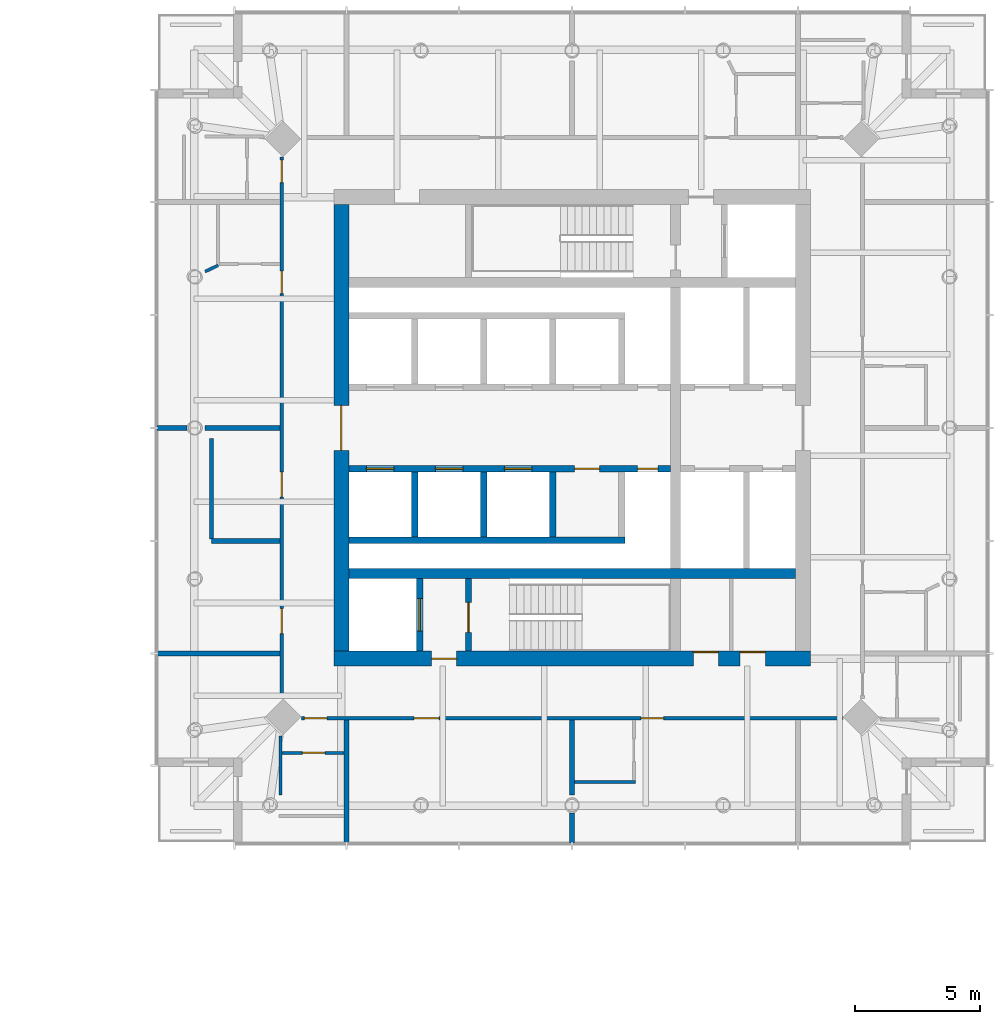
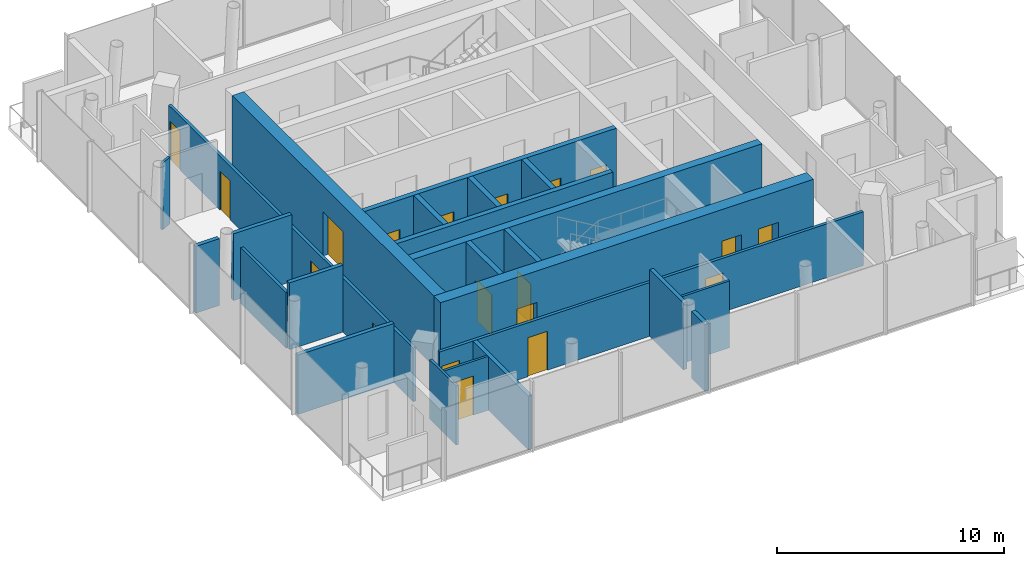
# One storey, part 13 of 27: 24 walls, 19 doors, 19 openings.
"""IFC4 building model written with IfcOpenShell, lengths in metres."""

from ifc_helpers import new_model, si_unit, direction, frame, frame_2d, origin, place, context, subcontext, project, spatial, rectangle, extrude, material, layer, layer_set, type_object, element, fill, save


model = new_model("IFC4")

# Units and contexts
model_context = context("Model", 3, precision=1e-05, world=origin(), true_north=direction((0.0, 1.0)))
body_context = subcontext(model_context, "Body", "Model", "MODEL_VIEW")
ifc_project = project(units=[si_unit("LENGTHUNIT", "METRE"), si_unit("AREAUNIT", "SQUARE_METRE"), si_unit("VOLUMEUNIT", "CUBIC_METRE"), si_unit("PLANEANGLEUNIT", "RADIAN"), si_unit("MASSUNIT", "GRAM", prefix="KILO")], contexts=[model_context])

# Site, building, storey
site_placement = place(None, origin())
site = spatial("IfcSite", under=ifc_project, at=site_placement, CompositionType="ELEMENT")
building_placement = place(site_placement, origin())
building = spatial("IfcBuilding", under=site, at=building_placement, Name="Ostroluk Exchange", CompositionType="ELEMENT")
storey_placement = place(building_placement, frame((0.0, 0.0, 112.199951171875)))
storey = spatial("IfcBuildingStorey", under=building, at=storey_placement, Name="L28", CompositionType="ELEMENT", Elevation=112.199951171875)

# Wall
ifc_material_1 = material(Name="Concrete C50/60", Category="concrete")
ifc_layer_1 = layer(ifc_material_1, 0.39990234375)
ifc_layer_set_1 = layer_set([ifc_layer_1], Name="Core cross wall 400 C50/60")
wall_type_1 = type_object("IfcWallType", Name="Core cross wall 400 C50/60", PredefinedType="SHEAR", material=ifc_layer_set_1)
wall_1_placement = place(storey_placement, frame((108.10009765625, 40.199951171875, 0.0), z_axis=(0.0, 0.0, 1.0), x_axis=(1.0, 0.0, 0.0)))
element("IfcWall", 1, at=wall_1_placement, inside=storey, type_object=wall_type_1, Name="T2 core wall XS", PredefinedType="SHEAR", context=body_context, shape_type="SweptSolid", body=[
    extrude(rectangle(XDim=17.7998046875, YDim=0.39990234375, at=frame_2d((8.89990234375, 0.0))), origin(), (0.0, 0.0, 1.0), 3.800048828125),
])

# Wall, opening, door
ifc_material_2 = material(Name="Concrete C40/50", Category="concrete")
ifc_layer_2 = layer(ifc_material_2, 0.25)
ifc_layer_set_2 = layer_set([ifc_layer_2], Name="Core shaft wall 250")
wall_type_2 = type_object("IfcWallType", Name="Core shaft wall 250", PredefinedType="SHEAR", material=ifc_layer_set_2)
wall_2_placement = place(storey_placement, frame((110.925048828125, 37.10009765625, 0.0), z_axis=(0.0, 0.0, 1.0), x_axis=(0.0, 1.0, 0.0)))
wall_2 = element("IfcWall", 2, at=wall_2_placement, inside=storey, type_object=wall_type_2, Name="Firefighting lift shaft wall", PredefinedType="SHEAR", context=body_context, shape_type="SweptSolid", body=[
    extrude(rectangle(XDim=2.89990234375, YDim=0.25, at=frame_2d((1.449951171875, 0.0))), origin(), (0.0, 0.0, 1.0), 3.800048828125),
])
opening_1_placement = place(wall_2_placement, frame((0.800048828125, 0.0, 0.0)))
opening_1 = element("IfcOpeningElement", 3, at=opening_1_placement, cuts=wall_2, Name="Opening LD2", PredefinedType="OPENING", context=body_context, shape_type="SweptSolid", body=[
    extrude(rectangle(XDim=1.300048828125, YDim=2.199951171875, at=frame_2d((0.64990234375, 1.10009765625))), frame((0.0, 0.135009765625, 0.0), z_axis=(0.0, -1.0, 0.0), x_axis=(1.0, 0.0, 0.0)), (0.0, 0.0, 1.0), 0.27001953125),
])
ifc_material_3 = material(Name="Stainless steel", Category="steel")
door_type_1 = type_object("IfcDoorType", Name="Lift landing door E 60 1300 x 2200", OperationType="DOUBLE_DOOR_SLIDING", PredefinedType="DOOR", material=ifc_material_3)
door_1_placement = place(opening_1_placement, origin())
door_1 = element("IfcDoor", 4, at=door_1_placement, inside=storey, type_object=door_type_1, Name="Lift HF1 landing door", OperationType="DOUBLE_DOOR_SLIDING", OverallHeight=2.199951171875, OverallWidth=1.300048828125, PredefinedType="DOOR", context=body_context, shape_type="SweptSolid", body=[
    extrude(rectangle(XDim=1.300048828125, YDim=2.199951171875, at=frame_2d((0.64990234375, 1.10009765625))), frame((0.0, 0.02490234375, 0.0), z_axis=(0.0, -1.0, 0.0), x_axis=(1.0, 0.0, 0.0)), (0.0, 0.0, 1.0), 0.050048828125),
])
fill(opening_1, door_1)

wall_3_placement = place(storey_placement, frame((112.875, 37.10009765625, 0.0), z_axis=(0.0, 0.0, 1.0), x_axis=(0.0, 1.0, 0.0)))
wall_3 = element("IfcWall", 5, at=wall_3_placement, inside=storey, type_object=wall_type_2, Name="Stair shaft wall", PredefinedType="SHEAR", context=body_context, shape_type="SweptSolid", body=[
    extrude(rectangle(XDim=2.89990234375, YDim=0.25, at=frame_2d((1.449951171875, 0.0))), origin(), (0.0, 0.0, 1.0), 3.800048828125),
])
opening_2_placement = place(wall_3_placement, frame((0.75, 0.0, 0.0)))
opening_2 = element("IfcOpeningElement", 6, at=opening_2_placement, cuts=wall_3, Name="Opening FD60S", PredefinedType="OPENING", context=body_context, shape_type="SweptSolid", body=[
    extrude(rectangle(XDim=1.199951171875, YDim=2.10009765625, at=frame_2d((0.60009765625, 1.050048828125))), frame((0.0, 0.135009765625, 0.0), z_axis=(0.0, -1.0, 0.0), x_axis=(1.0, 0.0, 0.0)), (0.0, 0.0, 1.0), 0.27001953125),
])
ifc_material_4 = material(Name="Steel", Category="steel")
door_type_2 = type_object("IfcDoorType", Name="Stair door EI 60 1200 x 2100", OperationType="SINGLE_SWING_LEFT", PredefinedType="DOOR", material=ifc_material_4)
door_2_placement = place(opening_2_placement, origin())
door_2 = element("IfcDoor", 7, at=door_2_placement, inside=storey, type_object=door_type_2, Name="Stair T2-S1 door", OperationType="SINGLE_SWING_LEFT", OverallHeight=2.10009765625, OverallWidth=1.199951171875, PredefinedType="DOOR", context=body_context, shape_type="SweptSolid", body=[
    extrude(rectangle(XDim=1.199951171875, YDim=2.10009765625, at=frame_2d((0.60009765625, 1.050048828125))), frame((0.0, 0.02490234375, 0.0), z_axis=(0.0, -1.0, 0.0), x_axis=(1.0, 0.0, 0.0)), (0.0, 0.0, 1.0), 0.050048828125),
])
fill(opening_2, door_2)

# Walls
for number, where, z_axis, x_axis, name in (
    (8, (110.72509765625, 44.25, 0.0), (0.0, 0.0, 1.0), (0.0, -1.0, 0.0), "Lift shaft wall"),
    (9, (113.47509765625, 44.25, 0.0), (0.0, 0.0, 1.0), (0.0, -1.0, 0.0), "Lift shaft wall"),
    (10, (116.22509765625, 44.25, 0.0), (0.0, 0.0, 1.0), (0.0, -1.0, 0.0), "Lift shaft wall"),
):
    element("IfcWall", number, at=place(storey_placement, frame(where, z_axis=z_axis, x_axis=x_axis)), inside=storey, type_object=wall_type_2, Name=name, PredefinedType="SHEAR", context=body_context, shape_type="SweptSolid", body=[
        extrude(rectangle(XDim=2.60009765625, YDim=0.25, at=frame_2d((1.300048828125, 0.0))), origin(), (0.0, 0.0, 1.0), 3.800048828125),
    ])
wall_4_placement = place(storey_placement, frame((108.10009765625, 41.52490234375, 0.0), z_axis=(0.0, 0.0, 1.0), x_axis=(1.0, 0.0, 0.0)))
element("IfcWall", 11, at=wall_4_placement, inside=storey, type_object=wall_type_2, Name="Lift shaft wall", PredefinedType="SHEAR", context=body_context, shape_type="SweptSolid", body=[
    extrude(rectangle(XDim=11.0, YDim=0.25, at=frame_2d((5.5, 0.0))), origin(), (0.0, 0.0, 1.0), 3.800048828125),
])

# Wall, openings, doors
wall_5_placement = place(storey_placement, frame((108.10009765625, 44.375, 0.0), z_axis=(0.0, 0.0, 1.0), x_axis=(1.0, 0.0, 0.0)))
wall_5 = element("IfcWall", 12, at=wall_5_placement, inside=storey, type_object=wall_type_2, Name="Lift shaft front wall", PredefinedType="SHEAR", context=body_context, shape_type="SweptSolid", body=[
    extrude(rectangle(XDim=12.829833984375, YDim=0.25, at=frame_2d((6.4150390625, 0.0))), origin(), (0.0, 0.0, 1.0), 3.800048828125),
])
opening_3_placement = place(wall_5_placement, frame((0.699951171875, 0.0, 0.0)))
opening_3 = element("IfcOpeningElement", 13, at=opening_3_placement, cuts=wall_5, Name="Opening LD", PredefinedType="OPENING", context=body_context, shape_type="SweptSolid", body=[
    extrude(rectangle(XDim=1.10009765625, YDim=2.199951171875, at=frame_2d((0.550048828125, 1.10009765625))), frame((0.0, 0.135009765625, 0.0), z_axis=(0.0, -1.0, 0.0), x_axis=(1.0, 0.0, 0.0)), (0.0, 0.0, 1.0), 0.27001953125),
])
opening_4_placement = place(wall_5_placement, frame((3.449951171875, 0.0, 0.0)))
opening_4 = element("IfcOpeningElement", 14, at=opening_4_placement, cuts=wall_5, Name="Opening LD", PredefinedType="OPENING", context=body_context, shape_type="SweptSolid", body=[
    extrude(rectangle(XDim=1.10009765625, YDim=2.199951171875, at=frame_2d((0.550048828125, 1.10009765625))), frame((0.0, 0.135009765625, 0.0), z_axis=(0.0, -1.0, 0.0), x_axis=(1.0, 0.0, 0.0)), (0.0, 0.0, 1.0), 0.27001953125),
])
opening_5_placement = place(wall_5_placement, frame((6.199951171875, 0.0, 0.0)))
opening_5 = element("IfcOpeningElement", 15, at=opening_5_placement, cuts=wall_5, Name="Opening LD", PredefinedType="OPENING", context=body_context, shape_type="SweptSolid", body=[
    extrude(rectangle(XDim=1.10009765625, YDim=2.199951171875, at=frame_2d((0.550048828125, 1.10009765625))), frame((0.0, 0.135009765625, 0.0), z_axis=(0.0, -1.0, 0.0), x_axis=(1.0, 0.0, 0.0)), (0.0, 0.0, 1.0), 0.27001953125),
])
opening_6_placement = place(wall_5_placement, frame((9.0, 0.0, 0.0)))
opening_6 = element("IfcOpeningElement", 16, at=opening_6_placement, cuts=wall_5, Name="Opening FD60", PredefinedType="OPENING", context=body_context, shape_type="SweptSolid", body=[
    extrude(rectangle(XDim=1.0, YDim=2.10009765625, at=frame_2d((0.5, 1.050048828125))), frame((0.0, 0.135009765625, 0.0), z_axis=(0.0, -1.0, 0.0), x_axis=(1.0, 0.0, 0.0)), (0.0, 0.0, 1.0), 0.27001953125),
])
opening_7_placement = place(wall_5_placement, frame((11.514892578125, 0.0, 0.0)))
opening_7 = element("IfcOpeningElement", 17, at=opening_7_placement, cuts=wall_5, Name="Opening RD60", PredefinedType="OPENING", context=body_context, shape_type="SweptSolid", body=[
    extrude(rectangle(XDim=0.800048828125, YDim=2.0, at=frame_2d((0.39990234375, 1.0))), frame((0.0, 0.135009765625, 0.0), z_axis=(0.0, -1.0, 0.0), x_axis=(1.0, 0.0, 0.0)), (0.0, 0.0, 1.0), 0.27001953125),
])
ifc_material_5 = material(Name="Steel", Category="steel")
door_type_3 = type_object("IfcDoorType", Name="Fire door EI 60 1000 x 2100", OperationType="SINGLE_SWING_LEFT", PredefinedType="DOOR", material=ifc_material_5)
door_3_placement = place(opening_6_placement, origin())
door_3 = element("IfcDoor", 18, at=door_3_placement, inside=storey, type_object=door_type_3, Name="Core room door", OperationType="SINGLE_SWING_RIGHT", OverallHeight=2.10009765625, OverallWidth=1.0, PredefinedType="DOOR", context=body_context, shape_type="SweptSolid", body=[
    extrude(rectangle(XDim=1.0, YDim=2.10009765625, at=frame_2d((0.5, 1.050048828125))), frame((0.0, 0.02490234375, 0.0), z_axis=(0.0, -1.0, 0.0), x_axis=(1.0, 0.0, 0.0)), (0.0, 0.0, 1.0), 0.050048828125),
])
fill(opening_6, door_3)
ifc_material_6 = material(Name="Stainless steel", Category="steel")
door_type_4 = type_object("IfcDoorType", Name="Lift landing door E 60 1100 x 2200", OperationType="DOUBLE_DOOR_SLIDING", PredefinedType="DOOR", material=ifc_material_6)
door_4_placement = place(opening_3_placement, origin())
door_4 = element("IfcDoor", 19, at=door_4_placement, inside=storey, type_object=door_type_4, Name="Lift HL5 landing door", OperationType="DOUBLE_DOOR_SLIDING", OverallHeight=2.199951171875, OverallWidth=1.10009765625, PredefinedType="DOOR", context=body_context, shape_type="SweptSolid", body=[
    extrude(rectangle(XDim=1.10009765625, YDim=2.199951171875, at=frame_2d((0.550048828125, 1.10009765625))), frame((0.0, 0.02490234375, 0.0), z_axis=(0.0, -1.0, 0.0), x_axis=(1.0, 0.0, 0.0)), (0.0, 0.0, 1.0), 0.050048828125),
])
fill(opening_3, door_4)
door_5_placement = place(opening_4_placement, origin())
door_5 = element("IfcDoor", 20, at=door_5_placement, inside=storey, type_object=door_type_4, Name="Lift HL6 landing door", OperationType="DOUBLE_DOOR_SLIDING", OverallHeight=2.199951171875, OverallWidth=1.10009765625, PredefinedType="DOOR", context=body_context, shape_type="SweptSolid", body=[
    extrude(rectangle(XDim=1.10009765625, YDim=2.199951171875, at=frame_2d((0.550048828125, 1.10009765625))), frame((0.0, 0.02490234375, 0.0), z_axis=(0.0, -1.0, 0.0), x_axis=(1.0, 0.0, 0.0)), (0.0, 0.0, 1.0), 0.050048828125),
])
fill(opening_4, door_5)
door_6_placement = place(opening_5_placement, origin())
door_6 = element("IfcDoor", 21, at=door_6_placement, inside=storey, type_object=door_type_4, Name="Lift HL7 landing door", OperationType="DOUBLE_DOOR_SLIDING", OverallHeight=2.199951171875, OverallWidth=1.10009765625, PredefinedType="DOOR", context=body_context, shape_type="SweptSolid", body=[
    extrude(rectangle(XDim=1.10009765625, YDim=2.199951171875, at=frame_2d((0.550048828125, 1.10009765625))), frame((0.0, 0.02490234375, 0.0), z_axis=(0.0, -1.0, 0.0), x_axis=(1.0, 0.0, 0.0)), (0.0, 0.0, 1.0), 0.050048828125),
])
fill(opening_5, door_6)
ifc_material_7 = material(Name="Steel", Category="steel")
door_type_5 = type_object("IfcDoorType", Name="Riser access door EI 60 800 x 2000", OperationType="SINGLE_SWING_LEFT", PredefinedType="DOOR", material=ifc_material_7)
door_7_placement = place(opening_7_placement, origin())
door_7 = element("IfcDoor", 22, at=door_7_placement, inside=storey, type_object=door_type_5, Name="Riser access door", OperationType="SINGLE_SWING_RIGHT", OverallHeight=2.0, OverallWidth=0.800048828125, PredefinedType="DOOR", context=body_context, shape_type="SweptSolid", body=[
    extrude(rectangle(XDim=0.800048828125, YDim=2.0, at=frame_2d((0.39990234375, 1.0))), frame((0.0, 0.02490234375, 0.0), z_axis=(0.0, -1.0, 0.0), x_axis=(1.0, 0.0, 0.0)), (0.0, 0.0, 1.0), 0.050048828125),
])
fill(opening_7, door_7)

ifc_material_8 = material(Name="Concrete C50/60", Category="concrete")
ifc_layer_3 = layer(ifc_material_8, 0.60009765625)
ifc_layer_set_3 = layer_set([ifc_layer_3], Name="Core wall 600 C50/60")
wall_type_3 = type_object("IfcWallType", Name="Core wall 600 C50/60", PredefinedType="SHEAR", material=ifc_layer_set_3)
wall_6_placement = place(storey_placement, frame((107.5, 36.800048828125, 0.0), z_axis=(0.0, 0.0, 1.0), x_axis=(1.0, 0.0, 0.0)))
wall_6 = element("IfcWall", 23, at=wall_6_placement, inside=storey, type_object=wall_type_3, Name="T2 core wall S", PredefinedType="SHEAR", context=body_context, shape_type="SweptSolid", body=[
    extrude(rectangle(XDim=19.0, YDim=0.60009765625, at=frame_2d((9.5, 0.0))), origin(), (0.0, 0.0, 1.0), 3.800048828125),
])
opening_8_placement = place(wall_6_placement, frame((3.89990234375, 0.0, 0.0)))
opening_8 = element("IfcOpeningElement", 24, at=opening_8_placement, cuts=wall_6, Name="Opening FD60", PredefinedType="OPENING", context=body_context, shape_type="SweptSolid", body=[
    extrude(rectangle(XDim=1.0, YDim=2.10009765625, at=frame_2d((0.5, 1.050048828125))), frame((0.0, 0.31005859375, 0.0), z_axis=(0.0, -1.0, 0.0), x_axis=(1.0, 0.0, 0.0)), (0.0, 0.0, 1.0), 0.6201171875),
])
opening_9_placement = place(wall_6_placement, frame((14.33544921875, 0.0, 0.0)))
opening_9 = element("IfcOpeningElement", 25, at=opening_9_placement, cuts=wall_6, Name="Opening FD60", PredefinedType="OPENING", context=body_context, shape_type="SweptSolid", body=[
    extrude(rectangle(XDim=1.0, YDim=2.10009765625, at=frame_2d((0.5, 1.050048828125))), frame((0.0, 0.31005859375, 0.0), z_axis=(0.0, -1.0, 0.0), x_axis=(1.0, 0.0, 0.0)), (0.0, 0.0, 1.0), 0.6201171875),
])
opening_10_placement = place(wall_6_placement, frame((16.199951171875, 0.0, 0.0)))
opening_10 = element("IfcOpeningElement", 26, at=opening_10_placement, cuts=wall_6, Name="Opening FD60", PredefinedType="OPENING", context=body_context, shape_type="SweptSolid", body=[
    extrude(rectangle(XDim=1.0, YDim=2.10009765625, at=frame_2d((0.5, 1.050048828125))), frame((0.0, 0.31005859375, 0.0), z_axis=(0.0, -1.0, 0.0), x_axis=(1.0, 0.0, 0.0)), (0.0, 0.0, 1.0), 0.6201171875),
])
door_8_placement = place(opening_8_placement, origin())
door_8 = element("IfcDoor", 27, at=door_8_placement, inside=storey, type_object=door_type_3, Name="Firefighting lobby door", OperationType="SINGLE_SWING_LEFT", OverallHeight=2.10009765625, OverallWidth=1.0, PredefinedType="DOOR", context=body_context, shape_type="SweptSolid", body=[
    extrude(rectangle(XDim=1.0, YDim=2.10009765625, at=frame_2d((0.5, 1.050048828125))), frame((0.0, 0.02490234375, 0.0), z_axis=(0.0, -1.0, 0.0), x_axis=(1.0, 0.0, 0.0)), (0.0, 0.0, 1.0), 0.050048828125),
])
fill(opening_8, door_8)
door_9_placement = place(opening_9_placement, origin())
door_9 = element("IfcDoor", 28, at=door_9_placement, inside=storey, type_object=door_type_3, Name="Comms room door", OperationType="SINGLE_SWING_RIGHT", OverallHeight=2.10009765625, OverallWidth=1.0, PredefinedType="DOOR", context=body_context, shape_type="SweptSolid", body=[
    extrude(rectangle(XDim=1.0, YDim=2.10009765625, at=frame_2d((0.5, 1.050048828125))), frame((0.0, 0.2900390625, 0.0), z_axis=(0.0, -1.0, 0.0), x_axis=(1.0, 0.0, 0.0)), (0.0, 0.0, 1.0), 0.050048828125),
])
fill(opening_9, door_9)
door_10_placement = place(opening_10_placement, origin())
door_10 = element("IfcDoor", 29, at=door_10_placement, inside=storey, type_object=door_type_3, Name="Guest pantry door", OperationType="SINGLE_SWING_RIGHT", OverallHeight=2.10009765625, OverallWidth=1.0, PredefinedType="DOOR", context=body_context, shape_type="SweptSolid", body=[
    extrude(rectangle(XDim=1.0, YDim=2.10009765625, at=frame_2d((0.5, 1.050048828125))), frame((0.0, 0.2900390625, 0.0), z_axis=(0.0, -1.0, 0.0), x_axis=(1.0, 0.0, 0.0)), (0.0, 0.0, 1.0), 0.050048828125),
])
fill(opening_10, door_10)

# Wall, opening, door
wall_7_placement = place(storey_placement, frame((107.800048828125, 37.10009765625, 0.0), z_axis=(0.0, 0.0, 1.0), x_axis=(0.0, 1.0, 0.0)))
wall_7 = element("IfcWall", 30, at=wall_7_placement, inside=storey, type_object=wall_type_3, Name="T2 core wall W", PredefinedType="SHEAR", context=body_context, shape_type="SweptSolid", body=[
    extrude(rectangle(XDim=17.7998046875, YDim=0.60009765625, at=frame_2d((8.89990234375, 0.0))), origin(), (0.0, 0.0, 1.0), 3.800048828125),
])
opening_11_placement = place(wall_7_placement, frame((8.0, 0.0, 0.0)))
opening_11 = element("IfcOpeningElement", 31, at=opening_11_placement, cuts=wall_7, Name="Opening FD30D", PredefinedType="OPENING", context=body_context, shape_type="SweptSolid", body=[
    extrude(rectangle(XDim=1.800048828125, YDim=2.39990234375, at=frame_2d((0.89990234375, 1.199951171875))), frame((0.0, 0.31005859375, 0.0), z_axis=(0.0, -1.0, 0.0), x_axis=(1.0, 0.0, 0.0)), (0.0, 0.0, 1.0), 0.6201171875),
])
ifc_material_9 = material(Name="Timber", Category="wood")
door_type_6 = type_object("IfcDoorType", Name="Lobby double door EI 30 1800 x 2400", OperationType="DOUBLE_DOOR_SINGLE_SWING", PredefinedType="DOOR", material=ifc_material_9)
door_11_placement = place(opening_11_placement, origin())
door_11 = element("IfcDoor", 32, at=door_11_placement, inside=storey, type_object=door_type_6, Name="Lift lobby doors", OperationType="DOUBLE_DOOR_SINGLE_SWING", OverallHeight=2.39990234375, OverallWidth=1.800048828125, PredefinedType="DOOR", context=body_context, shape_type="SweptSolid", body=[
    extrude(rectangle(XDim=1.800048828125, YDim=2.39990234375, at=frame_2d((0.89990234375, 1.199951171875))), frame((0.0, 0.02490234375, 0.0), z_axis=(0.0, -1.0, 0.0), x_axis=(1.0, 0.0, 0.0)), (0.0, 0.0, 1.0), 0.050048828125),
])
fill(opening_11, door_11)

ifc_material_10 = material(Name="Gypsum plasterboard partition, moisture resistant", Category="gypsum")
ifc_layer_4 = layer(ifc_material_10, 0.1201171875)
ifc_layer_set_4 = layer_set([ifc_layer_4], Name="Plasterboard en-suite wall 120")
wall_type_4 = type_object("IfcWallType", Name="Plasterboard en-suite wall 120", PredefinedType="PARTITIONING", material=ifc_layer_set_4)
wall_8_placement = place(storey_placement, frame((107.89990234375, 33.050048828125, 0.0), z_axis=(0.0, 0.0, 1.0), x_axis=(-1.0, 0.0, 0.0)))
wall_8 = element("IfcWall", 33, at=wall_8_placement, inside=storey, type_object=wall_type_4, Name="En-suite wall", PredefinedType="PARTITIONING", context=body_context, shape_type="SweptSolid", body=[
    extrude(rectangle(XDim=2.579833984375, YDim=0.1201171875, at=frame_2d((1.2900390625, 0.0))), origin(), (0.0, 0.0, 1.0), 2.900146484375),
])
opening_12_placement = place(wall_8_placement, frame((0.75, 0.0, 0.0)))
opening_12 = element("IfcOpeningElement", 34, at=opening_12_placement, cuts=wall_8, Name="Opening D-02", PredefinedType="OPENING", context=body_context, shape_type="SweptSolid", body=[
    extrude(rectangle(XDim=0.89990234375, YDim=2.10009765625, at=frame_2d((0.449951171875, 1.050048828125))), frame((0.0, 0.070068359375, 0.0), z_axis=(0.0, -1.0, 0.0), x_axis=(1.0, 0.0, 0.0)), (0.0, 0.0, 1.0), 0.14013671875),
])
ifc_material_11 = material(Name="Timber", Category="wood")
door_type_7 = type_object("IfcDoorType", Name="En-suite door 900 x 2100", OperationType="SINGLE_SWING_LEFT", PredefinedType="DOOR", material=ifc_material_11)
door_12_placement = place(opening_12_placement, origin())
door_12 = element("IfcDoor", 35, at=door_12_placement, inside=storey, type_object=door_type_7, Name="En-suite door 2808", OperationType="SINGLE_SWING_LEFT", OverallHeight=2.10009765625, OverallWidth=0.89990234375, PredefinedType="DOOR", context=body_context, shape_type="SweptSolid", body=[
    extrude(rectangle(XDim=0.89990234375, YDim=2.10009765625, at=frame_2d((0.449951171875, 1.050048828125))), frame((0.0, 0.02490234375, 0.0), z_axis=(0.0, -1.0, 0.0), x_axis=(1.0, 0.0, 0.0)), (0.0, 0.0, 1.0), 0.050048828125),
])
fill(opening_12, door_12)

# Walls
wall_9_placement = place(storey_placement, frame((105.3798828125, 33.7099609375, 0.0), z_axis=(0.0, 0.0, 1.0), x_axis=(0.0, -1.0, 0.0)))
element("IfcWall", 36, at=wall_9_placement, inside=storey, type_object=wall_type_4, Name="En-suite wall", PredefinedType="PARTITIONING", context=body_context, shape_type="SweptSolid", body=[
    extrude(rectangle(XDim=2.335693359375, YDim=0.1201171875, at=frame_2d((1.16796875, 0.0))), origin(), (0.0, 0.0, 1.0), 3.199951171875),
])
wall_10_placement = place(storey_placement, frame((117.10009765625, 31.889892578125, 0.0), z_axis=(0.0, 0.0, 1.0), x_axis=(1.0, 0.0, 0.0)))
element("IfcWall", 37, at=wall_10_placement, inside=storey, type_object=wall_type_4, Name="En-suite wall", PredefinedType="PARTITIONING", context=body_context, shape_type="SweptSolid", body=[
    extrude(rectangle(XDim=2.419921875, YDim=0.1201171875, at=frame_2d((1.2099609375, 0.0))), origin(), (0.0, 0.0, 1.0), 3.60009765625),
])
wall_11_placement = place(storey_placement, frame((102.889892578125, 52.47998046875, 0.0), z_axis=(0.0, 0.0, 1.0), x_axis=(-0.901316511947, -0.433161107778, 0.0)))
element("IfcWall", 38, at=wall_11_placement, inside=storey, type_object=wall_type_4, Name="En-suite wall", PredefinedType="PARTITIONING", context=body_context, shape_type="SweptSolid", body=[
    extrude(rectangle(XDim=0.572021484375, YDim=0.1201171875, at=frame_2d((0.2861328125, 0.0))), origin(), (0.0, 0.0, 1.0), 3.60009765625),
])
ifc_material_12 = material(Name="Gypsum plasterboard partition", Category="gypsum")
ifc_layer_5 = layer(ifc_material_12, 0.14990234375)
ifc_layer_set_5 = layer_set([ifc_layer_5], Name="Plasterboard partition 150")
wall_type_5 = type_object("IfcWallType", Name="Plasterboard partition 150", PredefinedType="PARTITIONING", material=ifc_layer_set_5)
wall_12_placement = place(storey_placement, frame((102.625, 45.573974609375, 0.0), z_axis=(0.0, 0.0, 1.0), x_axis=(0.0, -1.0, 0.0)))
element("IfcWall", 39, at=wall_12_placement, inside=storey, type_object=wall_type_5, Name="Partition", PredefinedType="PARTITIONING", context=body_context, shape_type="SweptSolid", body=[
    extrude(rectangle(XDim=3.9990234375, YDim=0.14990234375, at=frame_2d((1.99951171875, 0.0))), origin(), (0.0, 0.0, 1.0), 3.0),
])

# Wall, openings, doors
wall_13_placement = place(storey_placement, frame((105.425048828125, 56.79296875, 0.0), z_axis=(0.0, 0.0, 1.0), x_axis=(0.0, -1.0, 0.0)))
wall_13 = element("IfcWall", 40, at=wall_13_placement, inside=storey, type_object=wall_type_5, Name="Corridor wall", PredefinedType="PARTITIONING", context=body_context, shape_type="SweptSolid", body=[
    extrude(rectangle(XDim=21.5859375, YDim=0.14990234375, at=frame_2d((10.79296875, 0.0))), origin(), (0.0, 0.0, 1.0), 2.900146484375),
])
opening_13_placement = place(wall_13_placement, frame((0.1201171875, 0.0, 0.0)))
opening_13 = element("IfcOpeningElement", 41, at=opening_13_placement, cuts=wall_13, Name="Opening D-01", PredefinedType="OPENING", context=body_context, shape_type="SweptSolid", body=[
    extrude(rectangle(XDim=0.89990234375, YDim=2.10009765625, at=frame_2d((0.449951171875, 1.050048828125))), frame((0.0, 0.0849609375, 0.0), z_axis=(0.0, -1.0, 0.0), x_axis=(1.0, 0.0, 0.0)), (0.0, 0.0, 1.0), 0.169921875),
])
opening_14_placement = place(wall_13_placement, frame((4.54296875, 0.0, 0.0)))
opening_14 = element("IfcOpeningElement", 42, at=opening_14_placement, cuts=wall_13, Name="Opening D-01", PredefinedType="OPENING", context=body_context, shape_type="SweptSolid", body=[
    extrude(rectangle(XDim=0.89990234375, YDim=2.10009765625, at=frame_2d((0.449951171875, 1.050048828125))), frame((0.0, 0.0849609375, 0.0), z_axis=(0.0, -1.0, 0.0), x_axis=(1.0, 0.0, 0.0)), (0.0, 0.0, 1.0), 0.169921875),
])
opening_15_placement = place(wall_13_placement, frame((12.54296875, 0.0, 0.0)))
opening_15 = element("IfcOpeningElement", 43, at=opening_15_placement, cuts=wall_13, Name="Opening D-03", PredefinedType="OPENING", context=body_context, shape_type="SweptSolid", body=[
    extrude(rectangle(XDim=1.0, YDim=2.10009765625, at=frame_2d((0.5, 1.050048828125))), frame((0.0, 0.0849609375, 0.0), z_axis=(0.0, -1.0, 0.0), x_axis=(1.0, 0.0, 0.0)), (0.0, 0.0, 1.0), 0.169921875),
])
opening_16_placement = place(wall_13_placement, frame((17.992919921875, 0.0, 0.0)))
opening_16 = element("IfcOpeningElement", 44, at=opening_16_placement, cuts=wall_13, Name="Opening D-03", PredefinedType="OPENING", context=body_context, shape_type="SweptSolid", body=[
    extrude(rectangle(XDim=1.0, YDim=2.10009765625, at=frame_2d((0.5, 1.050048828125))), frame((0.0, 0.0849609375, 0.0), z_axis=(0.0, -1.0, 0.0), x_axis=(1.0, 0.0, 0.0)), (0.0, 0.0, 1.0), 0.169921875),
])
ifc_material_13 = material(Name="Timber", Category="wood")
door_type_8 = type_object("IfcDoorType", Name="Hotel room door EI 30 Sa 900 x 2100", OperationType="SINGLE_SWING_LEFT", PredefinedType="DOOR", material=ifc_material_13)
door_13_placement = place(opening_13_placement, origin())
door_13 = element("IfcDoor", 45, at=door_13_placement, inside=storey, type_object=door_type_8, Name="Room door 2806", OperationType="SINGLE_SWING_LEFT", OverallHeight=2.10009765625, OverallWidth=0.89990234375, PredefinedType="DOOR", context=body_context, shape_type="SweptSolid", body=[
    extrude(rectangle(XDim=0.89990234375, YDim=2.10009765625, at=frame_2d((0.449951171875, 1.050048828125))), frame((0.0, 0.02490234375, 0.0), z_axis=(0.0, -1.0, 0.0), x_axis=(1.0, 0.0, 0.0)), (0.0, 0.0, 1.0), 0.050048828125),
])
fill(opening_13, door_13)
door_14_placement = place(opening_14_placement, origin())
door_14 = element("IfcDoor", 46, at=door_14_placement, inside=storey, type_object=door_type_8, Name="Room door 2807", OperationType="SINGLE_SWING_LEFT", OverallHeight=2.10009765625, OverallWidth=0.89990234375, PredefinedType="DOOR", context=body_context, shape_type="SweptSolid", body=[
    extrude(rectangle(XDim=0.89990234375, YDim=2.10009765625, at=frame_2d((0.449951171875, 1.050048828125))), frame((0.0, 0.02490234375, 0.0), z_axis=(0.0, -1.0, 0.0), x_axis=(1.0, 0.0, 0.0)), (0.0, 0.0, 1.0), 0.050048828125),
])
fill(opening_14, door_14)
ifc_material_14 = material(Name="Timber", Category="wood")
door_type_9 = type_object("IfcDoorType", Name="Internal door 1000 x 2100", OperationType="SINGLE_SWING_LEFT", PredefinedType="DOOR", material=ifc_material_14)
door_15_placement = place(opening_15_placement, origin())
door_15 = element("IfcDoor", 47, at=door_15_placement, inside=storey, type_object=door_type_9, Name="Housekeeping store door", OperationType="SINGLE_SWING_RIGHT", OverallHeight=2.10009765625, OverallWidth=1.0, PredefinedType="DOOR", context=body_context, shape_type="SweptSolid", body=[
    extrude(rectangle(XDim=1.0, YDim=2.10009765625, at=frame_2d((0.5, 1.050048828125))), frame((0.0, 0.02490234375, 0.0), z_axis=(0.0, -1.0, 0.0), x_axis=(1.0, 0.0, 0.0)), (0.0, 0.0, 1.0), 0.050048828125),
])
fill(opening_15, door_15)
door_16_placement = place(opening_16_placement, origin())
door_16 = element("IfcDoor", 48, at=door_16_placement, inside=storey, type_object=door_type_9, Name="Guest lounge door", OperationType="SINGLE_SWING_RIGHT", OverallHeight=2.10009765625, OverallWidth=1.0, PredefinedType="DOOR", context=body_context, shape_type="SweptSolid", body=[
    extrude(rectangle(XDim=1.0, YDim=2.10009765625, at=frame_2d((0.5, 1.050048828125))), frame((0.0, 0.02490234375, 0.0), z_axis=(0.0, -1.0, 0.0), x_axis=(1.0, 0.0, 0.0)), (0.0, 0.0, 1.0), 0.050048828125),
])
fill(opening_16, door_16)

wall_14_placement = place(storey_placement, frame((106.20703125, 34.425048828125, 0.0), z_axis=(0.0, 0.0, 1.0), x_axis=(1.0, 0.0, 0.0)))
wall_14 = element("IfcWall", 49, at=wall_14_placement, inside=storey, type_object=wall_type_5, Name="Corridor wall", PredefinedType="PARTITIONING", context=body_context, shape_type="SweptSolid", body=[
    extrude(rectangle(XDim=21.5859375, YDim=0.14990234375, at=frame_2d((10.79296875, 0.0))), origin(), (0.0, 0.0, 1.0), 2.900146484375),
])
opening_17_placement = place(wall_14_placement, frame((0.1201171875, 0.0, 0.0)))
opening_17 = element("IfcOpeningElement", 50, at=opening_17_placement, cuts=wall_14, Name="Opening D-01", PredefinedType="OPENING", context=body_context, shape_type="SweptSolid", body=[
    extrude(rectangle(XDim=0.89990234375, YDim=2.10009765625, at=frame_2d((0.449951171875, 1.050048828125))), frame((0.0, 0.0849609375, 0.0), z_axis=(0.0, -1.0, 0.0), x_axis=(1.0, 0.0, 0.0)), (0.0, 0.0, 1.0), 0.169921875),
])
opening_18_placement = place(wall_14_placement, frame((4.492919921875, 0.0, 0.0)))
opening_18 = element("IfcOpeningElement", 51, at=opening_18_placement, cuts=wall_14, Name="Opening D-03", PredefinedType="OPENING", context=body_context, shape_type="SweptSolid", body=[
    extrude(rectangle(XDim=1.0, YDim=2.10009765625, at=frame_2d((0.5, 1.050048828125))), frame((0.0, 0.0849609375, 0.0), z_axis=(0.0, -1.0, 0.0), x_axis=(1.0, 0.0, 0.0)), (0.0, 0.0, 1.0), 0.169921875),
])
opening_19_placement = place(wall_14_placement, frame((13.54296875, 0.0, 0.0)))
opening_19 = element("IfcOpeningElement", 52, at=opening_19_placement, cuts=wall_14, Name="Opening D-01", PredefinedType="OPENING", context=body_context, shape_type="SweptSolid", body=[
    extrude(rectangle(XDim=0.89990234375, YDim=2.10009765625, at=frame_2d((0.449951171875, 1.050048828125))), frame((0.0, 0.0849609375, 0.0), z_axis=(0.0, -1.0, 0.0), x_axis=(1.0, 0.0, 0.0)), (0.0, 0.0, 1.0), 0.169921875),
])
door_17_placement = place(opening_17_placement, origin())
door_17 = element("IfcDoor", 53, at=door_17_placement, inside=storey, type_object=door_type_8, Name="Room door 2808", OperationType="SINGLE_SWING_LEFT", OverallHeight=2.10009765625, OverallWidth=0.89990234375, PredefinedType="DOOR", context=body_context, shape_type="SweptSolid", body=[
    extrude(rectangle(XDim=0.89990234375, YDim=2.10009765625, at=frame_2d((0.449951171875, 1.050048828125))), frame((0.0, 0.02490234375, 0.0), z_axis=(0.0, -1.0, 0.0), x_axis=(1.0, 0.0, 0.0)), (0.0, 0.0, 1.0), 0.050048828125),
])
fill(opening_17, door_17)
door_18_placement = place(opening_19_placement, origin())
door_18 = element("IfcDoor", 54, at=door_18_placement, inside=storey, type_object=door_type_8, Name="Room door 2809", OperationType="SINGLE_SWING_RIGHT", OverallHeight=2.10009765625, OverallWidth=0.89990234375, PredefinedType="DOOR", context=body_context, shape_type="SweptSolid", body=[
    extrude(rectangle(XDim=0.89990234375, YDim=2.10009765625, at=frame_2d((0.449951171875, 1.050048828125))), frame((0.0, 0.02490234375, 0.0), z_axis=(0.0, -1.0, 0.0), x_axis=(1.0, 0.0, 0.0)), (0.0, 0.0, 1.0), 0.050048828125),
])
fill(opening_19, door_18)
door_19_placement = place(opening_18_placement, origin())
door_19 = element("IfcDoor", 55, at=door_19_placement, inside=storey, type_object=door_type_9, Name="Guest lounge door", OperationType="SINGLE_SWING_LEFT", OverallHeight=2.10009765625, OverallWidth=1.0, PredefinedType="DOOR", context=body_context, shape_type="SweptSolid", body=[
    extrude(rectangle(XDim=1.0, YDim=2.10009765625, at=frame_2d((0.5, 1.050048828125))), frame((0.0, 0.02490234375, 0.0), z_axis=(0.0, -1.0, 0.0), x_axis=(1.0, 0.0, 0.0)), (0.0, 0.0, 1.0), 0.050048828125),
])
fill(opening_18, door_19)

# Walls
ifc_material_15 = material(Name="Gypsum plasterboard partition", Category="gypsum")
ifc_layer_6 = layer(ifc_material_15, 0.199951171875)
ifc_layer_set_6 = layer_set([ifc_layer_6], Name="Plasterboard party wall 200")
wall_type_6 = type_object("IfcWallType", Name="Plasterboard party wall 200", PredefinedType="PARTITIONING", material=ifc_layer_set_6)
wall_15_placement = place(storey_placement, frame((105.35009765625, 46.0, 0.0), z_axis=(0.0, 0.0, 1.0), x_axis=(-1.0, 0.0, 0.0)))
element("IfcWall", 56, at=wall_15_placement, inside=storey, type_object=wall_type_6, Name="Party wall", PredefinedType="PARTITIONING", context=body_context, shape_type="SweptSolid", body=[
    extrude(rectangle(XDim=2.975830078125, YDim=0.199951171875, at=frame_2d((1.48779296875, 0.0))), origin(), (0.0, 0.0, 1.0), 3.60009765625),
])
wall_16_placement = place(storey_placement, frame((101.651611328125, 46.0, 0.0), z_axis=(0.0, 0.0, 1.0), x_axis=(-1.0, 0.0, 0.0)))
element("IfcWall", 57, at=wall_16_placement, inside=storey, type_object=wall_type_6, Name="Party wall", PredefinedType="PARTITIONING", context=body_context, shape_type="SweptSolid", body=[
    extrude(rectangle(XDim=1.191650390625, YDim=0.199951171875, at=frame_2d((0.595703125, 0.0))), origin(), (0.0, 0.0, 1.0), 3.60009765625),
])
wall_17_placement = place(storey_placement, frame((105.35009765625, 41.5, 0.0), z_axis=(0.0, 0.0, 1.0), x_axis=(-1.0, 0.0, 0.0)))
element("IfcWall", 58, at=wall_17_placement, inside=storey, type_object=wall_type_6, Name="Party wall", PredefinedType="PARTITIONING", context=body_context, shape_type="SweptSolid", body=[
    extrude(rectangle(XDim=2.72509765625, YDim=0.199951171875, at=frame_2d((1.362548828125, 0.0))), origin(), (0.0, 0.0, 1.0), 3.60009765625),
])
wall_18_placement = place(storey_placement, frame((105.35009765625, 37.0, 0.0), z_axis=(0.0, 0.0, 1.0), x_axis=(-1.0, 0.0, 0.0)))
element("IfcWall", 59, at=wall_18_placement, inside=storey, type_object=wall_type_6, Name="Party wall", PredefinedType="PARTITIONING", context=body_context, shape_type="SweptSolid", body=[
    extrude(rectangle(XDim=4.89013671875, YDim=0.199951171875, at=frame_2d((2.445068359375, 0.0))), origin(), (0.0, 0.0, 1.0), 3.199951171875),
])
wall_19_placement = place(storey_placement, frame((108.0, 34.35009765625, 0.0), z_axis=(0.0, 0.0, 1.0), x_axis=(0.0, -1.0, 0.0)))
element("IfcWall", 60, at=wall_19_placement, inside=storey, type_object=wall_type_6, Name="Party wall", PredefinedType="PARTITIONING", context=body_context, shape_type="SweptSolid", body=[
    extrude(rectangle(XDim=4.89013671875, YDim=0.199951171875, at=frame_2d((2.445068359375, 0.0))), origin(), (0.0, 0.0, 1.0), 2.900146484375),
])
wall_20_placement = place(storey_placement, frame((117.0, 34.35009765625, 0.0), z_axis=(0.0, 0.0, 1.0), x_axis=(0.0, -1.0, 0.0)))
element("IfcWall", 61, at=wall_20_placement, inside=storey, type_object=wall_type_6, Name="Party wall", PredefinedType="PARTITIONING", context=body_context, shape_type="SweptSolid", body=[
    extrude(rectangle(XDim=2.975830078125, YDim=0.199951171875, at=frame_2d((1.48779296875, 0.0))), origin(), (0.0, 0.0, 1.0), 3.60009765625),
])
wall_21_placement = place(storey_placement, frame((117.0, 30.651611328125, 0.0), z_axis=(0.0, 0.0, 1.0), x_axis=(0.0, -1.0, 0.0)))
element("IfcWall", 62, at=wall_21_placement, inside=storey, type_object=wall_type_6, Name="Party wall", PredefinedType="PARTITIONING", context=body_context, shape_type="SweptSolid", body=[
    extrude(rectangle(XDim=1.191650390625, YDim=0.199951171875, at=frame_2d((0.595703125, 0.0))), origin(), (0.0, 0.0, 1.0), 3.60009765625),
])

save(model, "model.ifc")
